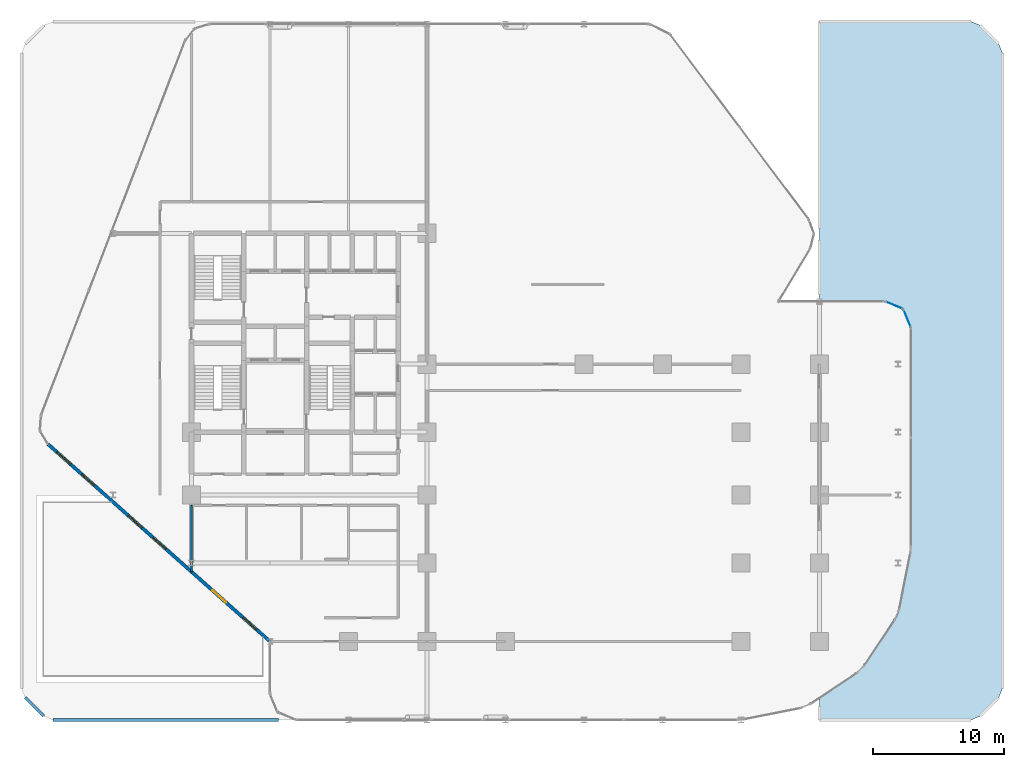
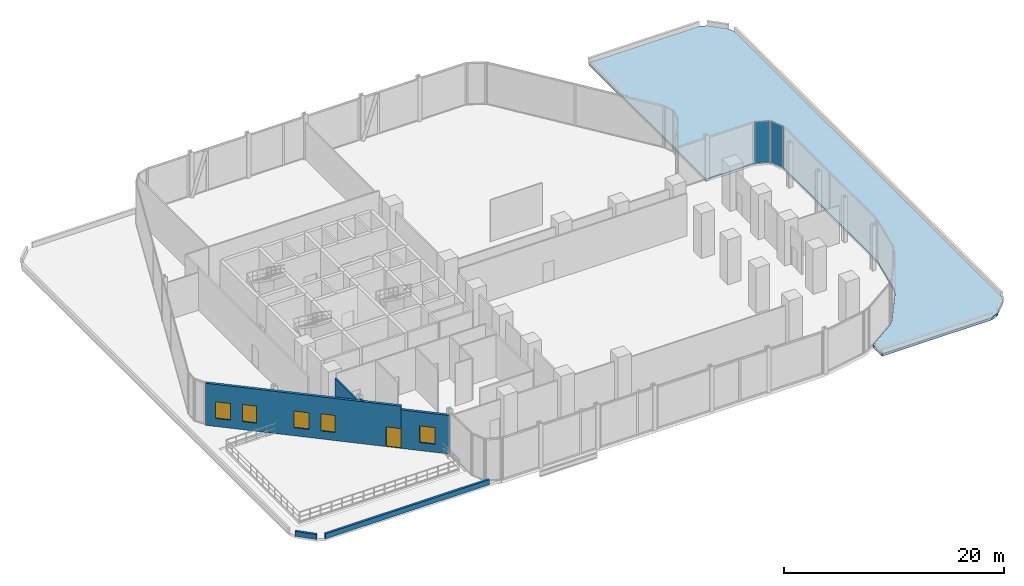
# One storey, part 23 of 29: 6 walls, 5 windows, 2 plates, 1 door, 1 slab, 6 openings, 2 elements without a shape of their own.
"""IFC4 building model written with IfcOpenShell, lengths in metres."""

from ifc_helpers import new_model, si_unit, direction, frame, frame_2d, origin, origin_2d, place, context, subcontext, project, spatial, polyline, rectangle, outline, extrude, material, layer, layer_set, type_object, element, fill, aggregate, save


model = new_model("IFC4")

# Units and contexts
model_context = context("Model", 3, precision=1e-05, world=origin(), true_north=direction((0.0, 1.0)))
body_context = subcontext(model_context, "Body", "Model", "MODEL_VIEW")
ifc_project = project(units=[si_unit("LENGTHUNIT", "METRE"), si_unit("AREAUNIT", "SQUARE_METRE"), si_unit("VOLUMEUNIT", "CUBIC_METRE"), si_unit("PLANEANGLEUNIT", "RADIAN"), si_unit("MASSUNIT", "GRAM", prefix="KILO")], contexts=[model_context])

# Site, building, storey
site_placement = place(None, origin())
site = spatial("IfcSite", under=ifc_project, at=site_placement, CompositionType="ELEMENT")
building_placement = place(site_placement, origin())
building = spatial("IfcBuilding", under=site, at=building_placement, Name="Keshet Zoharim Tower", CompositionType="ELEMENT")
storey_placement = place(building_placement, frame((0.0, 0.0, 19.0)))
storey = spatial("IfcBuildingStorey", under=building, at=storey_placement, Name="L03", CompositionType="ELEMENT", Elevation=19.0)

# Curtain wall, plate
ifc_material_1 = material(Name="Aluminium 6063-T6", Category="aluminium")
ifc_layer_1 = layer(ifc_material_1, 0.169921875)
ifc_layer_set_1 = layer_set([ifc_layer_1], Name="Aluminium 6063-T6")
curtain_wall_type = type_object("IfcCurtainWallType", Name="CW-SYS-02", PredefinedType="NOTDEFINED", material=ifc_layer_set_1)
curtain_wall_1_placement = place(storey_placement, origin())
curtain_wall_1 = element("IfcCurtainWall", 1, at=curtain_wall_1_placement, inside=storey, type_object=curtain_wall_type, Name="L03 Unitised Curtain Wall 13", PredefinedType="NOTDEFINED")
ifc_material_2 = material(Name="Insulated Low-E Clear Glass", Category="glass")
ifc_layer_2 = layer(ifc_material_2, 0.031982421875)
ifc_layer_set_2 = layer_set([ifc_layer_2], Name="Insulated Low-E Clear Glass")
plate_type = type_object("IfcPlateType", Name="CWP-02", PredefinedType="CURTAIN_PANEL", material=ifc_layer_set_2)
plate_1_placement = place(storey_placement, frame((68.70703125, 32.406982421875, 0.070068359375), z_axis=(0.0, 0.0, 1.0), x_axis=(0.92380975372, -0.382851849847, 0.0)))
plate_1 = element("IfcPlate", 2, at=plate_1_placement, type_object=plate_type, Name="CW-02 panel 1.1", PredefinedType="CURTAIN_PANEL", context=body_context, shape_type="SweptSolid", body=[
    extrude(rectangle(XDim=1.390625, YDim=0.031982421875, at=origin_2d()), origin(), (0.0, 0.0, 1.0), 4.544921875),
])
aggregate(curtain_wall_1, [plate_1])

curtain_wall_2_placement = place(storey_placement, origin())
curtain_wall_2 = element("IfcCurtainWall", 3, at=curtain_wall_2_placement, inside=storey, type_object=curtain_wall_type, Name="L03 Unitised Curtain Wall 14", PredefinedType="NOTDEFINED")
plate_2_placement = place(storey_placement, frame((69.70703125, 31.406982421875, 0.070068359375), z_axis=(0.0, 0.0, 1.0), x_axis=(0.382851849847, -0.92380975372, 0.0)))
plate_2 = element("IfcPlate", 4, at=plate_2_placement, type_object=plate_type, Name="CW-02 panel 1.1", PredefinedType="CURTAIN_PANEL", context=body_context, shape_type="SweptSolid", body=[
    extrude(rectangle(XDim=1.390625, YDim=0.031982421875, at=origin_2d()), origin(), (0.0, 0.0, 1.0), 4.544921875),
])
aggregate(curtain_wall_2, [plate_2])

# Slab
ifc_material_3 = material(Name="Concrete C50/60", Category="concrete")
ifc_layer_3 = layer(ifc_material_3, 0.280029296875)
ifc_layer_set_3 = layer_set([ifc_layer_3], Name="Concrete C50/60")
slab_type = type_object("IfcSlabType", Name="SLB-SET-280", PredefinedType="ROOF", material=ifc_layer_set_3)
slab_placement = place(storey_placement, frame((0.0, 0.0, -0.280029296875)))
element("IfcSlab", 5, at=slab_placement, inside=storey, type_object=slab_type, Name="L03 Setback Weather Roof Slab 2", PredefinedType="ROOF", context=body_context, shape_type="SweptSolid", body=[
    extrude(outline(polyline([(76.70703125, 52.39306640625), (77.0, 51.68603515625), (77.0, 3.114013671875), (76.70703125, 2.406982421875), (75.29296875, 0.992919921875), (74.5859375, 0.699951171875), (63.0, 0.699951171875), (63.0, 2.344970703125), (65.8779296875, 4.26806640625), (66.431884765625, 4.822021484375), (68.81103515625, 8.382080078125), (69.112060546875, 9.10791015625), (69.987060546875, 13.5029296875), (70.02490234375, 13.89599609375), (70.02490234375, 30.705078125), (69.43310546875, 32.133056640625), (68.0048828125, 32.72509765625), (63.0, 32.72509765625), (63.0, 54.10009765625), (74.5859375, 54.10009765625), (75.29296875, 53.806884765625), (76.70703125, 52.39306640625)])), origin(), (0.0, 0.0, 1.0), 0.280029296875),
])

# Walls
ifc_material_4 = material(Name="Gypsum Plasterboard", Category="gypsum")
ifc_layer_4 = layer(ifc_material_4, 0.14990234375)
ifc_layer_set_4 = layer_set([ifc_layer_4], Name="Gypsum Plasterboard")
wall_type_1 = type_object("IfcWallType", Name="WL-CLIN-150", PredefinedType="STANDARD", material=ifc_layer_set_4)
wall_1_placement = place(storey_placement, frame((15.0, 12.04296875, 0.0), z_axis=(0.0, 0.0, 1.0), x_axis=(0.0, 1.0, 0.0)))
element("IfcWall", 6, at=wall_1_placement, inside=storey, type_object=wall_type_1, Name="L03 Interior Wall 003", PredefinedType="STANDARD", context=body_context, shape_type="SweptSolid", body=[
    extrude(rectangle(XDim=0.656982421875, YDim=0.14990234375, at=frame_2d((0.32861328125, 0.0))), origin(), (0.0, 0.0, 1.0), 4.68505859375),
])
wall_2_placement = place(storey_placement, frame((15.0, 12.699951171875, 0.0), z_axis=(0.0, 0.0, 1.0), x_axis=(0.0, 1.0, 0.0)))
element("IfcWall", 7, at=wall_2_placement, inside=storey, type_object=wall_type_1, Name="L03 Interior Wall 003 Part 2", PredefinedType="STANDARD", context=body_context, shape_type="SweptSolid", body=[
    extrude(rectangle(XDim=4.400146484375, YDim=0.14990234375, at=frame_2d((2.2001953125, 0.0))), origin(), (0.0, 0.0, 1.0), 4.18505859375),
])

# Wall, opening, window
ifc_material_5 = material(Name="Concrete C50/60 precast", Category="concrete")
ifc_layer_5 = layer(ifc_material_5, 0.260009765625)
ifc_layer_set_5 = layer_set([ifc_layer_5], Name="Concrete C50/60 precast")
wall_type_2 = type_object("IfcWallType", Name="WL-EXT-260", PredefinedType="STANDARD", material=ifc_layer_set_5)
wall_3_placement = place(storey_placement, frame((21.0, 6.699951171875, 0.0), z_axis=(0.0, 0.0, 1.0), x_axis=(-0.747409318684, 0.66436383883, 0.0)))
wall_3 = element("IfcWall", 8, at=wall_3_placement, inside=storey, type_object=wall_type_2, Name="L03 Exterior Facade Wall 01", PredefinedType="STANDARD", context=body_context, shape_type="SweptSolid", body=[
    extrude(rectangle(XDim=4.4951171875, YDim=0.260009765625, at=frame_2d((2.24755859375, 0.0))), origin(), (0.0, 0.0, 1.0), 4.284912109375),
])
opening_1_placement = place(wall_3_placement, frame((1.366943359375, 0.0, 0.89990234375)))
opening_1 = element("IfcOpeningElement", 9, at=opening_1_placement, cuts=wall_3, Name="Opening W-140", PredefinedType="OPENING", context=body_context, shape_type="SweptSolid", body=[
    extrude(rectangle(XDim=1.39990234375, YDim=1.85009765625, at=frame_2d((0.699951171875, 0.925048828125))), frame((0.0, 0.14013671875, 0.0), z_axis=(0.0, -1.0, 0.0), x_axis=(1.0, 0.0, 0.0)), (0.0, 0.0, 1.0), 0.280029296875),
])
window_type_1 = type_object("IfcWindowType", Name="WN-TER-140", PartitioningType="SINGLE_PANEL", PredefinedType="WINDOW", material=ifc_material_2)
window_1_placement = place(opening_1_placement, origin())
window_1 = element("IfcWindow", 10, at=window_1_placement, inside=storey, type_object=window_type_1, Name="L03 Terrace Side Window 01", OverallHeight=1.85009765625, OverallWidth=1.39990234375, PartitioningType="SINGLE_PANEL", PredefinedType="WINDOW", context=body_context, shape_type="SweptSolid", body=[
    extrude(rectangle(XDim=1.39990234375, YDim=1.85009765625, at=frame_2d((0.699951171875, 0.925048828125))), frame((0.0, 0.030029296875, 0.0), z_axis=(0.0, -1.0, 0.0), x_axis=(1.0, 0.0, 0.0)), (0.0, 0.0, 1.0), 0.06005859375),
])
fill(opening_1, window_1)

# Wall, openings, door, windows
wall_4_placement = place(storey_placement, frame((17.640380859375, 9.686279296875, 0.0), z_axis=(0.0, 0.0, 1.0), x_axis=(-0.747409318684, 0.66436383883, 0.0)))
wall_4 = element("IfcWall", 11, at=wall_4_placement, inside=storey, type_object=wall_type_2, Name="L03 Exterior Facade Wall 01 Part 2", PredefinedType="STANDARD", context=body_context, shape_type="SweptSolid", body=[
    extrude(rectangle(XDim=18.20361328125, YDim=0.260009765625, at=frame_2d((9.101806640625, 0.0))), origin(), (0.0, 0.0, 1.0), 4.68505859375),
])
opening_2_placement = place(wall_4_placement, origin())
opening_2 = element("IfcOpeningElement", 12, at=opening_2_placement, cuts=wall_4, Name="Opening D-TR14", PredefinedType="OPENING", context=body_context, shape_type="SweptSolid", body=[
    extrude(rectangle(XDim=1.39990234375, YDim=2.199951171875, at=frame_2d((0.699951171875, 1.10009765625))), frame((0.0, 0.14013671875, 0.0), z_axis=(0.0, -1.0, 0.0), x_axis=(1.0, 0.0, 0.0)), (0.0, 0.0, 1.0), 0.280029296875),
])
opening_3_placement = place(wall_4_placement, frame((6.154052734375, 0.0, 0.89990234375)))
opening_3 = element("IfcOpeningElement", 13, at=opening_3_placement, cuts=wall_4, Name="Opening W-130", PredefinedType="OPENING", context=body_context, shape_type="SweptSolid", body=[
    extrude(rectangle(XDim=1.300048828125, YDim=1.89990234375, at=frame_2d((0.64990234375, 0.949951171875))), frame((0.0, 0.14013671875, 0.0), z_axis=(0.0, -1.0, 0.0), x_axis=(1.0, 0.0, 0.0)), (0.0, 0.0, 1.0), 0.280029296875),
])
opening_4_placement = place(wall_4_placement, frame((8.5869140625, 0.0, 0.89990234375)))
opening_4 = element("IfcOpeningElement", 14, at=opening_4_placement, cuts=wall_4, Name="Opening W-140", PredefinedType="OPENING", context=body_context, shape_type="SweptSolid", body=[
    extrude(rectangle(XDim=1.39990234375, YDim=1.85009765625, at=frame_2d((0.699951171875, 0.925048828125))), frame((0.0, 0.14013671875, 0.0), z_axis=(0.0, -1.0, 0.0), x_axis=(1.0, 0.0, 0.0)), (0.0, 0.0, 1.0), 0.280029296875),
])
opening_5_placement = place(wall_4_placement, frame((13.4541015625, 0.0, 0.89990234375)))
opening_5 = element("IfcOpeningElement", 15, at=opening_5_placement, cuts=wall_4, Name="Opening W-130", PredefinedType="OPENING", context=body_context, shape_type="SweptSolid", body=[
    extrude(rectangle(XDim=1.300048828125, YDim=1.89990234375, at=frame_2d((0.64990234375, 0.949951171875))), frame((0.0, 0.14013671875, 0.0), z_axis=(0.0, -1.0, 0.0), x_axis=(1.0, 0.0, 0.0)), (0.0, 0.0, 1.0), 0.280029296875),
])
opening_6_placement = place(wall_4_placement, frame((15.886962890625, 0.0, 0.89990234375)))
opening_6 = element("IfcOpeningElement", 16, at=opening_6_placement, cuts=wall_4, Name="Opening W-140", PredefinedType="OPENING", context=body_context, shape_type="SweptSolid", body=[
    extrude(rectangle(XDim=1.39990234375, YDim=1.85009765625, at=frame_2d((0.699951171875, 0.925048828125))), frame((0.0, 0.14013671875, 0.0), z_axis=(0.0, -1.0, 0.0), x_axis=(1.0, 0.0, 0.0)), (0.0, 0.0, 1.0), 0.280029296875),
])
door_type = type_object("IfcDoorType", Name="DR-TER-140", OperationType="DOUBLE_DOOR_SINGLE_SWING", PredefinedType="DOOR", material=ifc_material_1)
door_placement = place(opening_2_placement, origin())
door = element("IfcDoor", 17, at=door_placement, inside=storey, type_object=door_type, Name="L03 Sky Terrace Access Door 01", OperationType="DOUBLE_DOOR_SINGLE_SWING", OverallHeight=2.199951171875, OverallWidth=1.39990234375, PredefinedType="DOOR", context=body_context, shape_type="SweptSolid", body=[
    extrude(rectangle(XDim=1.39990234375, YDim=2.199951171875, at=frame_2d((0.699951171875, 1.10009765625))), frame((0.0, 0.02490234375, 0.0), z_axis=(0.0, -1.0, 0.0), x_axis=(1.0, 0.0, 0.0)), (0.0, 0.0, 1.0), 0.050048828125),
])
fill(opening_2, door)
window_type_2 = type_object("IfcWindowType", Name="WN-CRN-130", PartitioningType="SINGLE_PANEL", PredefinedType="WINDOW", material=ifc_material_2)
window_2_placement = place(opening_3_placement, origin())
window_2 = element("IfcWindow", 18, at=window_2_placement, inside=storey, type_object=window_type_2, Name="L03 Terrace Side Window 02", OverallHeight=1.89990234375, OverallWidth=1.300048828125, PartitioningType="SINGLE_PANEL", PredefinedType="WINDOW", context=body_context, shape_type="SweptSolid", body=[
    extrude(rectangle(XDim=1.300048828125, YDim=1.89990234375, at=frame_2d((0.64990234375, 0.949951171875))), frame((0.0, 0.030029296875, 0.0), z_axis=(0.0, -1.0, 0.0), x_axis=(1.0, 0.0, 0.0)), (0.0, 0.0, 1.0), 0.06005859375),
])
fill(opening_3, window_2)
window_3_placement = place(opening_5_placement, origin())
window_3 = element("IfcWindow", 19, at=window_3_placement, inside=storey, type_object=window_type_2, Name="L03 Terrace Side Window 04", OverallHeight=1.89990234375, OverallWidth=1.300048828125, PartitioningType="SINGLE_PANEL", PredefinedType="WINDOW", context=body_context, shape_type="SweptSolid", body=[
    extrude(rectangle(XDim=1.300048828125, YDim=1.89990234375, at=frame_2d((0.64990234375, 0.949951171875))), frame((0.0, 0.030029296875, 0.0), z_axis=(0.0, -1.0, 0.0), x_axis=(1.0, 0.0, 0.0)), (0.0, 0.0, 1.0), 0.06005859375),
])
fill(opening_5, window_3)
window_4_placement = place(opening_4_placement, origin())
window_4 = element("IfcWindow", 20, at=window_4_placement, inside=storey, type_object=window_type_1, Name="L03 Terrace Side Window 03", OverallHeight=1.85009765625, OverallWidth=1.39990234375, PartitioningType="SINGLE_PANEL", PredefinedType="WINDOW", context=body_context, shape_type="SweptSolid", body=[
    extrude(rectangle(XDim=1.39990234375, YDim=1.85009765625, at=frame_2d((0.699951171875, 0.925048828125))), frame((0.0, 0.030029296875, 0.0), z_axis=(0.0, -1.0, 0.0), x_axis=(1.0, 0.0, 0.0)), (0.0, 0.0, 1.0), 0.06005859375),
])
fill(opening_4, window_4)
window_5_placement = place(opening_6_placement, origin())
window_5 = element("IfcWindow", 21, at=window_5_placement, inside=storey, type_object=window_type_1, Name="L03 Terrace Side Window 05", OverallHeight=1.85009765625, OverallWidth=1.39990234375, PartitioningType="SINGLE_PANEL", PredefinedType="WINDOW", context=body_context, shape_type="SweptSolid", body=[
    extrude(rectangle(XDim=1.39990234375, YDim=1.85009765625, at=frame_2d((0.699951171875, 0.925048828125))), frame((0.0, 0.030029296875, 0.0), z_axis=(0.0, -1.0, 0.0), x_axis=(1.0, 0.0, 0.0)), (0.0, 0.0, 1.0), 0.06005859375),
])
fill(opening_6, window_5)

# Walls
ifc_layer_6 = layer(ifc_material_5, 0.219970703125)
ifc_layer_set_6 = layer_set([ifc_layer_6], Name="Concrete C50/60 precast")
wall_type_3 = type_object("IfcWallType", Name="WL-PAR-220", PredefinedType="PARAPET", material=ifc_layer_set_6)
wall_5_placement = place(storey_placement, frame((21.64208984375, 0.699951171875, 0.0), z_axis=(0.0, 0.0, 1.0), x_axis=(-1.0, 0.0, 0.0)))
element("IfcWall", 22, at=wall_5_placement, inside=storey, type_object=wall_type_3, Name="L03 Setback Roof Parapet 03", PredefinedType="PARAPET", context=body_context, shape_type="SweptSolid", body=[
    extrude(rectangle(XDim=17.22802734375, YDim=0.219970703125, at=frame_2d((8.614013671875, 0.0))), origin(), (0.0, 0.0, 1.0), 0.550048828125),
])
wall_6_placement = place(storey_placement, frame((3.70703125, 0.992919921875, 0.0), z_axis=(0.0, 0.0, 1.0), x_axis=(-0.707106781187, 0.707106781187, 0.0)))
element("IfcWall", 23, at=wall_6_placement, inside=storey, type_object=wall_type_3, Name="L03 Setback Roof Parapet 04", PredefinedType="PARAPET", context=body_context, shape_type="SweptSolid", body=[
    extrude(rectangle(XDim=1.999755859375, YDim=0.219970703125, at=frame_2d((1.0, 0.0))), origin(), (0.0, 0.0, 1.0), 0.550048828125),
])

save(model, "model.ifc")
